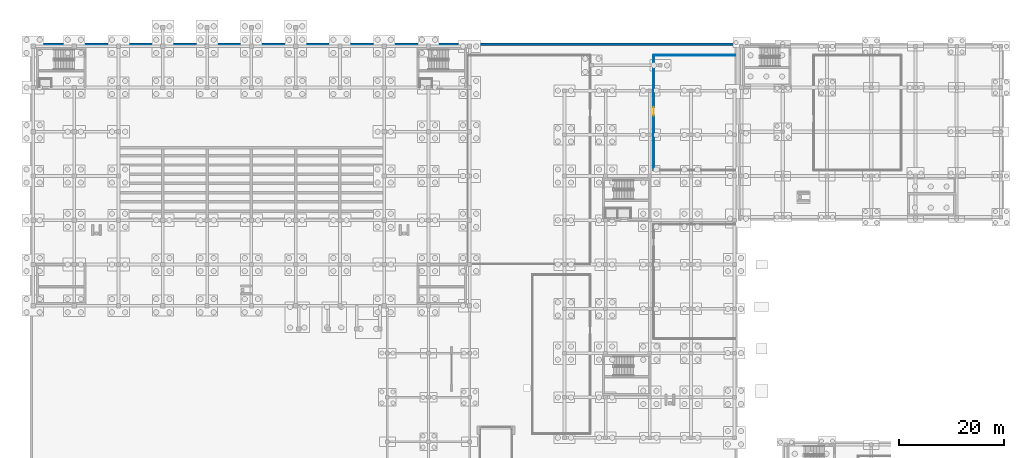
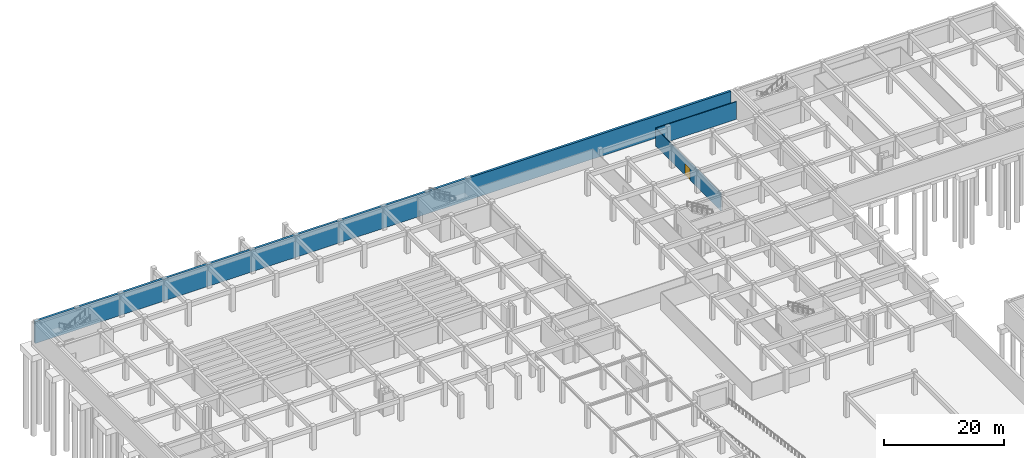
# One storey, part 22 of 35: 3 walls, 1 door, 1 opening.
"""IFC4 building model written with IfcOpenShell, lengths in metres."""

from ifc_helpers import new_model, si_unit, direction, frame, frame_2d, origin, place, context, subcontext, project, spatial, rectangle, extrude, material, layer, layer_set, type_object, element, fill, save


model = new_model("IFC4")

# Units and contexts
model_context = context("Model", 3, precision=1e-05, world=origin(), true_north=direction((0.0, 1.0)))
body_context = subcontext(model_context, "Body", "Model", "MODEL_VIEW")
ifc_project = project(units=[si_unit("LENGTHUNIT", "METRE"), si_unit("AREAUNIT", "SQUARE_METRE"), si_unit("VOLUMEUNIT", "CUBIC_METRE"), si_unit("PLANEANGLEUNIT", "RADIAN"), si_unit("MASSUNIT", "GRAM", prefix="KILO")], contexts=[model_context])

# Site, building, storey
site_placement = place(None, origin())
site = spatial("IfcSite", under=ifc_project, at=site_placement, CompositionType="ELEMENT")
building_placement = place(site_placement, origin())
building = spatial("IfcBuilding", under=site, at=building_placement, Name="Zayran Congress Hotel", CompositionType="ELEMENT")
storey_placement = place(building_placement, frame((0.0, 0.0, -4.800048828125)))
storey = spatial("IfcBuildingStorey", under=building, at=storey_placement, Name="B1", CompositionType="ELEMENT", Elevation=-4.800048828125)

# Wall
ifc_material_1 = material(Name="Concrete C32/40", Category="concrete")
ifc_layer_1 = layer(ifc_material_1, 0.449951171875)
ifc_layer_set_1 = layer_set([ifc_layer_1], Name="Concrete C32/40")
wall_type_1 = type_object("IfcWallType", Name="WL-RT-450", PredefinedType="USERDEFINED", material=ifc_layer_set_1)
wall_1_placement = place(storey_placement, frame((8.85009765625, 117.77490234375, 0.0), z_axis=(0.0, 0.0, 1.0), x_axis=(1.0, 0.0, 0.0)))
element("IfcWall", 1, at=wall_1_placement, inside=storey, type_object=wall_type_1, Name="B1-RW-N", ObjectType="RETAININGWALL", PredefinedType="USERDEFINED", context=body_context, shape_type="SweptSolid", body=[
    extrude(rectangle(XDim=133.349853515625, YDim=0.449951171875, at=frame_2d((66.6748046875, 0.0))), origin(), (0.0, 0.0, 1.0), 4.47998046875),
])

# Wall, opening, door
ifc_material_2 = material(Name="Acoustic twin-stud gypsum partition", Category="gypsum")
ifc_layer_2 = layer(ifc_material_2, 0.159912109375)
ifc_layer_set_2 = layer_set([ifc_layer_2], Name="Acoustic twin-stud gypsum partition")
wall_type_2 = type_object("IfcWallType", Name="WL-PT-160", PredefinedType="PARTITIONING", material=ifc_layer_set_2)
wall_2_placement = place(storey_placement, frame((126.719970703125, 93.919921875, 0.0), z_axis=(0.0, 0.0, 1.0), x_axis=(0.0, 1.0, 0.0)))
wall_2 = element("IfcWall", 2, at=wall_2_placement, inside=storey, type_object=wall_type_2, Name="IW-B1-0381", PredefinedType="PARTITIONING", context=body_context, shape_type="SweptSolid", body=[
    extrude(rectangle(XDim=21.760009765625, YDim=0.159912109375, at=frame_2d((10.8798828125, 0.0))), origin(), (0.0, 0.0, 1.0), 3.580078125),
])
opening_placement = place(wall_2_placement, frame((10.280029296875, 0.0, 0.0)))
opening = element("IfcOpeningElement", 3, at=opening_placement, cuts=wall_2, Name="Opening DR-PL-01", PredefinedType="OPENING", context=body_context, shape_type="SweptSolid", body=[
    extrude(rectangle(XDim=1.64990234375, YDim=2.35009765625, at=frame_2d((0.824951171875, 1.175048828125))), frame((0.0, 0.08984375, 0.0), z_axis=(0.0, -1.0, 0.0), x_axis=(1.0, 0.0, 0.0)), (0.0, 0.0, 1.0), 0.179931640625),
])
ifc_material_3 = material(Name="Painted steel plant room double fire door", Category="steel")
door_type = type_object("IfcDoorType", Name="TP-DR-PL-01", OperationType="DOUBLE_DOOR_SINGLE_SWING", PredefinedType="DOOR", material=ifc_material_3)
door_placement = place(opening_placement, origin())
door = element("IfcDoor", 4, at=door_placement, inside=storey, type_object=door_type, Name="Domestic and Fire Water Cistern B1 Door", OperationType="DOUBLE_DOOR_SINGLE_SWING", OverallHeight=2.35009765625, OverallWidth=1.64990234375, PredefinedType="DOOR", context=body_context, shape_type="SweptSolid", body=[
    extrude(rectangle(XDim=1.64990234375, YDim=2.35009765625, at=frame_2d((0.824951171875, 1.175048828125))), frame((0.0, 0.02490234375, 0.0), z_axis=(0.0, -1.0, 0.0), x_axis=(1.0, 0.0, 0.0)), (0.0, 0.0, 1.0), 0.050048828125),
])
fill(opening, door)

# Wall
wall_3_placement = place(storey_placement, frame((126.719970703125, 115.679931640625, 0.0), z_axis=(0.0, 0.0, 1.0), x_axis=(1.0, 0.0, 0.0)))
element("IfcWall", 5, at=wall_3_placement, inside=storey, type_object=wall_type_2, Name="IW-B1-1639", PredefinedType="PARTITIONING", context=body_context, shape_type="SweptSolid", body=[
    extrude(rectangle(XDim=15.47998046875, YDim=0.159912109375, at=frame_2d((7.739990234375, 0.0))), origin(), (0.0, 0.0, 1.0), 3.580078125),
])

save(model, "model.ifc")
